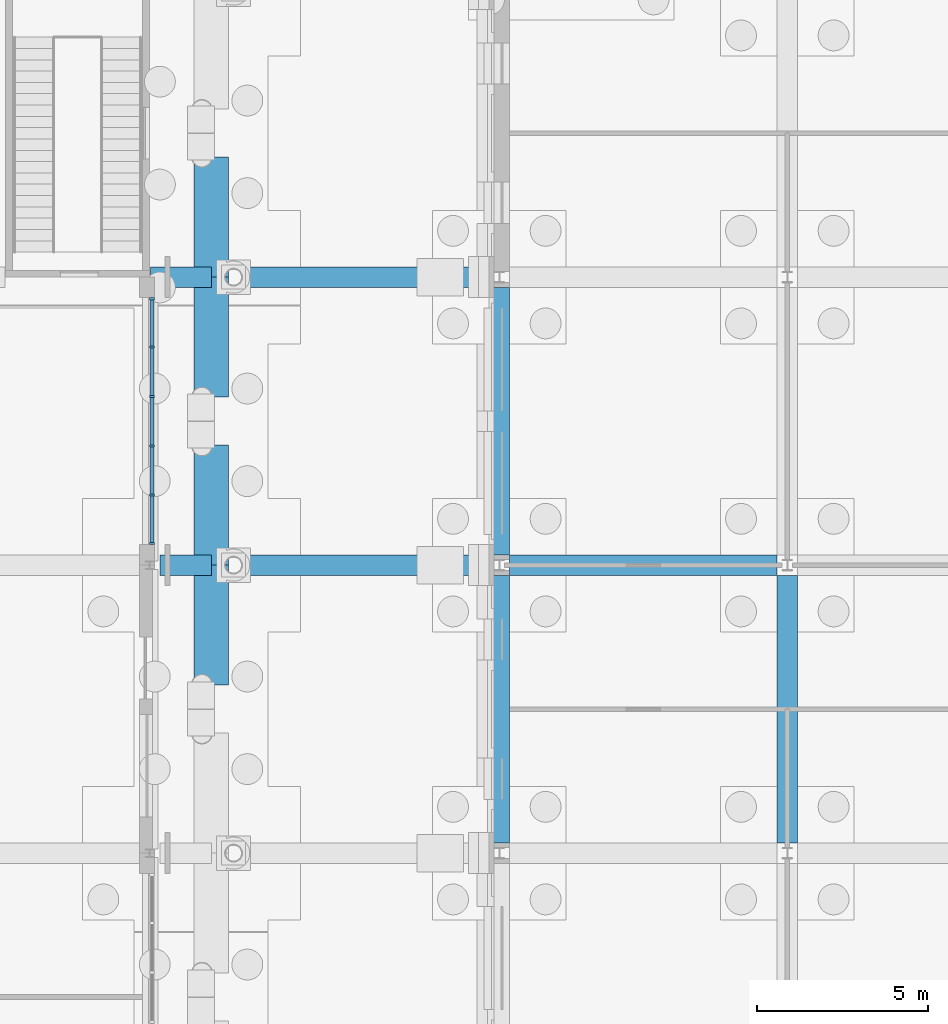
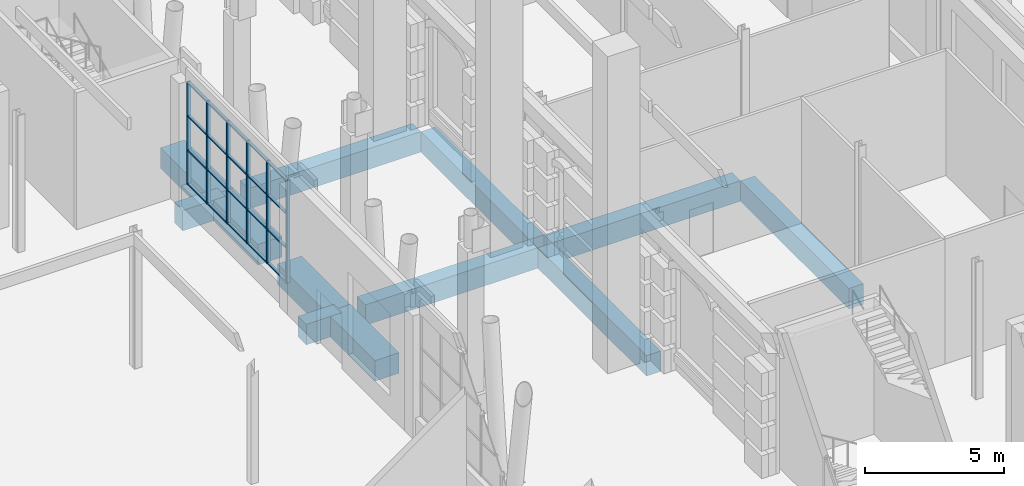
# One storey, part 57 of 222: 26 members, 12 beams, 1 element without a shape of its own.
"""IFC4 building model written with IfcOpenShell, lengths in metres."""

from ifc_helpers import new_model, si_unit, direction, frame, origin, origin_2d, place, context, subcontext, project, spatial, rectangle, extrude, material, material_profile, profile_set, type_object, element, aggregate, save


model = new_model("IFC4")

# Units and contexts
model_context = context("Model", 3, precision=1e-05, world=origin(), true_north=direction((0.0, 1.0)))
body_context = subcontext(model_context, "Body", "Model", "MODEL_VIEW")
ifc_project = project(units=[si_unit("LENGTHUNIT", "METRE"), si_unit("AREAUNIT", "SQUARE_METRE"), si_unit("VOLUMEUNIT", "CUBIC_METRE"), si_unit("PLANEANGLEUNIT", "RADIAN"), si_unit("MASSUNIT", "GRAM", prefix="KILO")], contexts=[model_context])

# Site, building, storey
site_placement = place(None, origin())
site = spatial("IfcSite", under=ifc_project, at=site_placement, CompositionType="ELEMENT")
building_placement = place(site_placement, origin())
building = spatial("IfcBuilding", under=site, at=building_placement, Name="Sava Quay Ferry Terminal", CompositionType="ELEMENT")
storey_placement = place(building_placement, origin())
storey = spatial("IfcBuildingStorey", under=building, at=storey_placement, Name="L00", CompositionType="ELEMENT", Elevation=0.0)

# Curtain wall, members
ifc_material_1 = material(Name="Aluminium and glass curtain wall, double low-e glazed", Category="aluminium")
curtain_wall_type = type_object("IfcCurtainWallType", Name="Curtain wall CW-F flank", PredefinedType="NOTDEFINED", material=ifc_material_1)
curtain_wall_placement = place(storey_placement, origin())
curtain_wall = element("IfcCurtainWall", 1, at=curtain_wall_placement, inside=storey, type_object=curtain_wall_type, Name="Curtain wall D-E L00 bay 5", PredefinedType="NOTDEFINED")
ifc_material_2 = material(Name="Aluminium EN AW-6063 T6", Category="aluminium")
ifc_material_profile_1 = material_profile(ifc_material_2, rectangle(XDim=0.14990234375, YDim=0.06005859375, at=origin_2d()), Name="Mullion 60x150 aluminium")
ifc_profile_set_1 = profile_set([ifc_material_profile_1], Name="Aluminium EN AW-6063 T6")
member_type_1 = type_object("IfcMemberType", Name="Mullion 60x150 aluminium", PredefinedType="MULLION", material=ifc_profile_set_1)
member_1_placement = place(storey_placement, frame((82.27490234375, 84.6298828125, 0.89990234375), z_axis=(0.0, 0.0, 1.0), x_axis=(-1.0, 0.0, 0.0)))
member_1 = element("IfcMember", 2, at=member_1_placement, type_object=member_type_1, Name="CW51 mullion 1", PredefinedType="MULLION", context=body_context, shape_type="SweptSolid", body=[
    extrude(rectangle(XDim=0.14990234375, YDim=0.06005859375, at=origin_2d()), origin(), (0.0, 0.0, 1.0), 4.5),
])
member_2_placement = place(storey_placement, frame((82.27490234375, 86.0400390625, 0.89990234375), z_axis=(0.0, 0.0, 1.0), x_axis=(-1.0, 0.0, 0.0)))
member_2 = element("IfcMember", 3, at=member_2_placement, type_object=member_type_1, Name="CW51 mullion 2", PredefinedType="MULLION", context=body_context, shape_type="SweptSolid", body=[
    extrude(rectangle(XDim=0.14990234375, YDim=0.06005859375, at=origin_2d()), origin(), (0.0, 0.0, 1.0), 4.5),
])
member_3_placement = place(storey_placement, frame((82.27490234375, 87.47998046875, 0.89990234375), z_axis=(0.0, 0.0, 1.0), x_axis=(-1.0, 0.0, 0.0)))
member_3 = element("IfcMember", 4, at=member_3_placement, type_object=member_type_1, Name="CW51 mullion 3", PredefinedType="MULLION", context=body_context, shape_type="SweptSolid", body=[
    extrude(rectangle(XDim=0.14990234375, YDim=0.06005859375, at=origin_2d()), origin(), (0.0, 0.0, 1.0), 4.5),
])
member_4_placement = place(storey_placement, frame((82.27490234375, 88.919921875, 0.89990234375), z_axis=(0.0, 0.0, 1.0), x_axis=(-1.0, 0.0, 0.0)))
member_4 = element("IfcMember", 5, at=member_4_placement, type_object=member_type_1, Name="CW51 mullion 4", PredefinedType="MULLION", context=body_context, shape_type="SweptSolid", body=[
    extrude(rectangle(XDim=0.14990234375, YDim=0.06005859375, at=origin_2d()), origin(), (0.0, 0.0, 1.0), 4.5),
])
member_5_placement = place(storey_placement, frame((82.27490234375, 90.360107421875, 0.89990234375), z_axis=(0.0, 0.0, 1.0), x_axis=(-1.0, 0.0, 0.0)))
member_5 = element("IfcMember", 6, at=member_5_placement, type_object=member_type_1, Name="CW51 mullion 5", PredefinedType="MULLION", context=body_context, shape_type="SweptSolid", body=[
    extrude(rectangle(XDim=0.14990234375, YDim=0.06005859375, at=origin_2d()), origin(), (0.0, 0.0, 1.0), 4.5),
])
member_6_placement = place(storey_placement, frame((82.27490234375, 91.77001953125, 0.89990234375), z_axis=(0.0, 0.0, 1.0), x_axis=(-1.0, 0.0, 0.0)))
member_6 = element("IfcMember", 7, at=member_6_placement, type_object=member_type_1, Name="CW51 mullion 6", PredefinedType="MULLION", context=body_context, shape_type="SweptSolid", body=[
    extrude(rectangle(XDim=0.14990234375, YDim=0.06005859375, at=origin_2d()), origin(), (0.0, 0.0, 1.0), 4.5),
])

# Beams
ifc_material_3 = material(Name="Concrete C40/50", Category="concrete")
ifc_material_profile_2 = material_profile(ifc_material_3, rectangle(XDim=1.0, YDim=0.89990234375, at=origin_2d()), Name="RC 1000x900")
ifc_profile_set_2 = profile_set([ifc_material_profile_2], Name="Concrete C40/50")
beam_type_1 = type_object("IfcBeamType", Name="RC deck beam 1000x900", PredefinedType="BEAM", material=ifc_profile_set_2)
for number, where, z_axis, x_axis, name in (
    (8, (84.0, 80.5, -0.89990234375), (0.0, 1.0, 0.0), (-1.0, 0.0, 0.0), "Deck beam Y84-75.6"),
    (9, (84.0, 84.0, -0.89990234375), (0.0, 1.0, 0.0), (-1.0, 0.0, 0.0), "Deck beam Y84-84"),
    (10, (84.0, 88.89990234375, -0.89990234375), (0.0, 1.0, 0.0), (-1.0, 0.0, 0.0), "Deck beam Y84-84"),
    (11, (84.0, 92.39990234375, -0.89990234375), (0.0, 1.0, 0.0), (-1.0, 0.0, 0.0), "Deck beam Y84-92.4"),
):
    element("IfcBeam", number, at=place(storey_placement, frame(where, z_axis=z_axis, x_axis=x_axis)), inside=storey, type_object=beam_type_1, Name=name, PredefinedType="BEAM", context=body_context, shape_type="SweptSolid", body=[
        extrude(rectangle(XDim=1.0, YDim=0.89990234375, at=origin_2d()), origin(), (0.0, 0.0, 1.0), 3.5),
    ])
ifc_material_4 = material(Name="Concrete C40/50", Category="concrete")
ifc_material_profile_3 = material_profile(ifc_material_4, rectangle(XDim=0.60009765625, YDim=0.89990234375, at=origin_2d()), Name="RC 600x900")
ifc_profile_set_3 = profile_set([ifc_material_profile_3], Name="Concrete C40/50")
beam_type_2 = type_object("IfcBeamType", Name="RC deck beam 600x900", PredefinedType="BEAM", material=ifc_profile_set_3)
beam_1_placement = place(storey_placement, frame((82.5, 84.0, -0.89990234375), z_axis=(1.0, 0.0, 0.0), x_axis=(0.0, 1.0, 0.0)))
element("IfcBeam", 12, at=beam_1_placement, inside=storey, type_object=beam_type_2, Name="Deck beam X84-75.6", PredefinedType="BEAM", context=body_context, shape_type="SweptSolid", body=[
    extrude(rectangle(XDim=0.60009765625, YDim=0.89990234375, at=origin_2d()), origin(), (0.0, 0.0, 1.0), 1.5),
])
beam_2_placement = place(storey_placement, frame((84.949951171875, 84.0, -0.89990234375), z_axis=(1.0, 0.0, 0.0), x_axis=(0.0, 1.0, 0.0)))
element("IfcBeam", 13, at=beam_2_placement, inside=storey, type_object=beam_type_2, Name="Deck beam X84-84", PredefinedType="BEAM", context=body_context, shape_type="SweptSolid", body=[
    extrude(rectangle(XDim=0.60009765625, YDim=0.89990234375, at=origin_2d()), origin(), (0.0, 0.0, 1.0), 7.150146484375),
])
beam_3_placement = place(storey_placement, frame((92.699951171875, 84.0, -0.89990234375), z_axis=(1.0, 0.0, 0.0), x_axis=(0.0, 1.0, 0.0)))
element("IfcBeam", 14, at=beam_3_placement, inside=storey, type_object=beam_type_2, Name="Deck beam X84-92.4", PredefinedType="BEAM", context=body_context, shape_type="SweptSolid", body=[
    extrude(rectangle(XDim=0.60009765625, YDim=0.89990234375, at=origin_2d()), origin(), (0.0, 0.0, 1.0), 7.800048828125),
])
beam_4_placement = place(storey_placement, frame((82.219970703125, 92.39990234375, -0.89990234375), z_axis=(1.0, 0.0, 0.0), x_axis=(0.0, 1.0, 0.0)))
element("IfcBeam", 15, at=beam_4_placement, inside=storey, type_object=beam_type_2, Name="Deck beam X92.4-75.6", PredefinedType="BEAM", context=body_context, shape_type="SweptSolid", body=[
    extrude(rectangle(XDim=0.60009765625, YDim=0.89990234375, at=origin_2d()), origin(), (0.0, 0.0, 1.0), 1.780029296875),
])
beam_5_placement = place(storey_placement, frame((84.949951171875, 92.39990234375, -0.89990234375), z_axis=(1.0, 0.0, 0.0), x_axis=(0.0, 1.0, 0.0)))
element("IfcBeam", 16, at=beam_5_placement, inside=storey, type_object=beam_type_2, Name="Deck beam X92.4-84", PredefinedType="BEAM", context=body_context, shape_type="SweptSolid", body=[
    extrude(rectangle(XDim=0.60009765625, YDim=0.89990234375, at=origin_2d()), origin(), (0.0, 0.0, 1.0), 7.150146484375),
])
for number, where, z_axis, x_axis, name in (
    (17, (92.39990234375, 75.89990234375, -0.89990234375), (0.0, 1.0, 0.0), (-1.0, 0.0, 0.0), "Deck beam Y92.4-75.6"),
    (18, (92.39990234375, 84.300048828125, -0.89990234375), (0.0, 1.0, 0.0), (-1.0, 0.0, 0.0), "Deck beam Y92.4-84"),
    (19, (100.800048828125, 75.89990234375, -0.89990234375), (0.0, 1.0, 0.0), (-1.0, 0.0, 0.0), "Deck beam Y100.8-75.6"),
):
    element("IfcBeam", number, at=place(storey_placement, frame(where, z_axis=z_axis, x_axis=x_axis)), inside=storey, type_object=beam_type_2, Name=name, PredefinedType="BEAM", context=body_context, shape_type="SweptSolid", body=[
        extrude(rectangle(XDim=0.60009765625, YDim=0.89990234375, at=origin_2d()), origin(), (0.0, 0.0, 1.0), 7.800048828125),
    ])

# Member
ifc_material_5 = material(Name="Aluminium EN AW-6063 T6", Category="aluminium")
ifc_material_profile_4 = material_profile(ifc_material_5, rectangle(XDim=0.1201171875, YDim=0.050048828125, at=origin_2d()), Name="Transom 50x120 aluminium")
ifc_profile_set_4 = profile_set([ifc_material_profile_4], Name="Aluminium EN AW-6063 T6")
member_type_2 = type_object("IfcMemberType", Name="Transom 50x120 aluminium", PredefinedType="USERDEFINED", material=ifc_profile_set_4)
member_7_placement = place(storey_placement, frame((82.27490234375, 84.659912109375, 0.925048828125), z_axis=(0.0, 1.0, 0.0), x_axis=(-1.0, 0.0, 0.0)))
member_7 = element("IfcMember", 20, at=member_7_placement, type_object=member_type_2, Name="CW51 transom 1.1", ObjectType="TRANSOM", PredefinedType="USERDEFINED", context=body_context, shape_type="SweptSolid", body=[
    extrude(rectangle(XDim=0.1201171875, YDim=0.050048828125, at=origin_2d()), origin(), (0.0, 0.0, 1.0), 1.35009765625),
])

member_8_placement = place(storey_placement, frame((82.27490234375, 84.659912109375, 2.39990234375), z_axis=(0.0, 1.0, 0.0), x_axis=(-1.0, 0.0, 0.0)))
member_8 = element("IfcMember", 21, at=member_8_placement, type_object=member_type_2, Name="CW51 transom 1.2", ObjectType="TRANSOM", PredefinedType="USERDEFINED", context=body_context, shape_type="SweptSolid", body=[
    extrude(rectangle(XDim=0.1201171875, YDim=0.050048828125, at=origin_2d()), origin(), (0.0, 0.0, 1.0), 1.35009765625),
])

member_9_placement = place(storey_placement, frame((82.27490234375, 84.659912109375, 3.89990234375), z_axis=(0.0, 1.0, 0.0), x_axis=(-1.0, 0.0, 0.0)))
member_9 = element("IfcMember", 22, at=member_9_placement, type_object=member_type_2, Name="CW51 transom 1.3", ObjectType="TRANSOM", PredefinedType="USERDEFINED", context=body_context, shape_type="SweptSolid", body=[
    extrude(rectangle(XDim=0.1201171875, YDim=0.050048828125, at=origin_2d()), origin(), (0.0, 0.0, 1.0), 1.35009765625),
])

member_10_placement = place(storey_placement, frame((82.27490234375, 84.659912109375, 5.375), z_axis=(0.0, 1.0, 0.0), x_axis=(-1.0, 0.0, 0.0)))
member_10 = element("IfcMember", 23, at=member_10_placement, type_object=member_type_2, Name="CW51 transom 1.4", ObjectType="TRANSOM", PredefinedType="USERDEFINED", context=body_context, shape_type="SweptSolid", body=[
    extrude(rectangle(XDim=0.1201171875, YDim=0.050048828125, at=origin_2d()), origin(), (0.0, 0.0, 1.0), 1.35009765625),
])

member_11_placement = place(storey_placement, frame((82.27490234375, 86.070068359375, 0.925048828125), z_axis=(0.0, 1.0, 0.0), x_axis=(-1.0, 0.0, 0.0)))
member_11 = element("IfcMember", 24, at=member_11_placement, type_object=member_type_2, Name="CW51 transom 2.1", ObjectType="TRANSOM", PredefinedType="USERDEFINED", context=body_context, shape_type="SweptSolid", body=[
    extrude(rectangle(XDim=0.1201171875, YDim=0.050048828125, at=origin_2d()), origin(), (0.0, 0.0, 1.0), 1.3798828125),
])

member_12_placement = place(storey_placement, frame((82.27490234375, 86.070068359375, 2.39990234375), z_axis=(0.0, 1.0, 0.0), x_axis=(-1.0, 0.0, 0.0)))
member_12 = element("IfcMember", 25, at=member_12_placement, type_object=member_type_2, Name="CW51 transom 2.2", ObjectType="TRANSOM", PredefinedType="USERDEFINED", context=body_context, shape_type="SweptSolid", body=[
    extrude(rectangle(XDim=0.1201171875, YDim=0.050048828125, at=origin_2d()), origin(), (0.0, 0.0, 1.0), 1.3798828125),
])

member_13_placement = place(storey_placement, frame((82.27490234375, 86.070068359375, 3.89990234375), z_axis=(0.0, 1.0, 0.0), x_axis=(-1.0, 0.0, 0.0)))
member_13 = element("IfcMember", 26, at=member_13_placement, type_object=member_type_2, Name="CW51 transom 2.3", ObjectType="TRANSOM", PredefinedType="USERDEFINED", context=body_context, shape_type="SweptSolid", body=[
    extrude(rectangle(XDim=0.1201171875, YDim=0.050048828125, at=origin_2d()), origin(), (0.0, 0.0, 1.0), 1.3798828125),
])

member_14_placement = place(storey_placement, frame((82.27490234375, 86.070068359375, 5.375), z_axis=(0.0, 1.0, 0.0), x_axis=(-1.0, 0.0, 0.0)))
member_14 = element("IfcMember", 27, at=member_14_placement, type_object=member_type_2, Name="CW51 transom 2.4", ObjectType="TRANSOM", PredefinedType="USERDEFINED", context=body_context, shape_type="SweptSolid", body=[
    extrude(rectangle(XDim=0.1201171875, YDim=0.050048828125, at=origin_2d()), origin(), (0.0, 0.0, 1.0), 1.3798828125),
])

member_15_placement = place(storey_placement, frame((82.27490234375, 87.510009765625, 0.925048828125), z_axis=(0.0, 1.0, 0.0), x_axis=(-1.0, 0.0, 0.0)))
member_15 = element("IfcMember", 28, at=member_15_placement, type_object=member_type_2, Name="CW51 transom 3.1", ObjectType="TRANSOM", PredefinedType="USERDEFINED", context=body_context, shape_type="SweptSolid", body=[
    extrude(rectangle(XDim=0.1201171875, YDim=0.050048828125, at=origin_2d()), origin(), (0.0, 0.0, 1.0), 1.3798828125),
])

member_16_placement = place(storey_placement, frame((82.27490234375, 87.510009765625, 2.39990234375), z_axis=(0.0, 1.0, 0.0), x_axis=(-1.0, 0.0, 0.0)))
member_16 = element("IfcMember", 29, at=member_16_placement, type_object=member_type_2, Name="CW51 transom 3.2", ObjectType="TRANSOM", PredefinedType="USERDEFINED", context=body_context, shape_type="SweptSolid", body=[
    extrude(rectangle(XDim=0.1201171875, YDim=0.050048828125, at=origin_2d()), origin(), (0.0, 0.0, 1.0), 1.3798828125),
])

member_17_placement = place(storey_placement, frame((82.27490234375, 87.510009765625, 3.89990234375), z_axis=(0.0, 1.0, 0.0), x_axis=(-1.0, 0.0, 0.0)))
member_17 = element("IfcMember", 30, at=member_17_placement, type_object=member_type_2, Name="CW51 transom 3.3", ObjectType="TRANSOM", PredefinedType="USERDEFINED", context=body_context, shape_type="SweptSolid", body=[
    extrude(rectangle(XDim=0.1201171875, YDim=0.050048828125, at=origin_2d()), origin(), (0.0, 0.0, 1.0), 1.3798828125),
])

member_18_placement = place(storey_placement, frame((82.27490234375, 87.510009765625, 5.375), z_axis=(0.0, 1.0, 0.0), x_axis=(-1.0, 0.0, 0.0)))
member_18 = element("IfcMember", 31, at=member_18_placement, type_object=member_type_2, Name="CW51 transom 3.4", ObjectType="TRANSOM", PredefinedType="USERDEFINED", context=body_context, shape_type="SweptSolid", body=[
    extrude(rectangle(XDim=0.1201171875, YDim=0.050048828125, at=origin_2d()), origin(), (0.0, 0.0, 1.0), 1.3798828125),
])

member_19_placement = place(storey_placement, frame((82.27490234375, 88.949951171875, 0.925048828125), z_axis=(0.0, 1.0, 0.0), x_axis=(-1.0, 0.0, 0.0)))
member_19 = element("IfcMember", 32, at=member_19_placement, type_object=member_type_2, Name="CW51 transom 4.1", ObjectType="TRANSOM", PredefinedType="USERDEFINED", context=body_context, shape_type="SweptSolid", body=[
    extrude(rectangle(XDim=0.1201171875, YDim=0.050048828125, at=origin_2d()), origin(), (0.0, 0.0, 1.0), 1.380126953125),
])

member_20_placement = place(storey_placement, frame((82.27490234375, 88.949951171875, 2.39990234375), z_axis=(0.0, 1.0, 0.0), x_axis=(-1.0, 0.0, 0.0)))
member_20 = element("IfcMember", 33, at=member_20_placement, type_object=member_type_2, Name="CW51 transom 4.2", ObjectType="TRANSOM", PredefinedType="USERDEFINED", context=body_context, shape_type="SweptSolid", body=[
    extrude(rectangle(XDim=0.1201171875, YDim=0.050048828125, at=origin_2d()), origin(), (0.0, 0.0, 1.0), 1.380126953125),
])

member_21_placement = place(storey_placement, frame((82.27490234375, 88.949951171875, 3.89990234375), z_axis=(0.0, 1.0, 0.0), x_axis=(-1.0, 0.0, 0.0)))
member_21 = element("IfcMember", 34, at=member_21_placement, type_object=member_type_2, Name="CW51 transom 4.3", ObjectType="TRANSOM", PredefinedType="USERDEFINED", context=body_context, shape_type="SweptSolid", body=[
    extrude(rectangle(XDim=0.1201171875, YDim=0.050048828125, at=origin_2d()), origin(), (0.0, 0.0, 1.0), 1.380126953125),
])

member_22_placement = place(storey_placement, frame((82.27490234375, 88.949951171875, 5.375), z_axis=(0.0, 1.0, 0.0), x_axis=(-1.0, 0.0, 0.0)))
member_22 = element("IfcMember", 35, at=member_22_placement, type_object=member_type_2, Name="CW51 transom 4.4", ObjectType="TRANSOM", PredefinedType="USERDEFINED", context=body_context, shape_type="SweptSolid", body=[
    extrude(rectangle(XDim=0.1201171875, YDim=0.050048828125, at=origin_2d()), origin(), (0.0, 0.0, 1.0), 1.380126953125),
])

member_23_placement = place(storey_placement, frame((82.27490234375, 90.389892578125, 0.925048828125), z_axis=(0.0, 1.0, 0.0), x_axis=(-1.0, 0.0, 0.0)))
member_23 = element("IfcMember", 36, at=member_23_placement, type_object=member_type_2, Name="CW51 transom 5.1", ObjectType="TRANSOM", PredefinedType="USERDEFINED", context=body_context, shape_type="SweptSolid", body=[
    extrude(rectangle(XDim=0.1201171875, YDim=0.050048828125, at=origin_2d()), origin(), (0.0, 0.0, 1.0), 1.35009765625),
])

member_24_placement = place(storey_placement, frame((82.27490234375, 90.389892578125, 2.39990234375), z_axis=(0.0, 1.0, 0.0), x_axis=(-1.0, 0.0, 0.0)))
member_24 = element("IfcMember", 37, at=member_24_placement, type_object=member_type_2, Name="CW51 transom 5.2", ObjectType="TRANSOM", PredefinedType="USERDEFINED", context=body_context, shape_type="SweptSolid", body=[
    extrude(rectangle(XDim=0.1201171875, YDim=0.050048828125, at=origin_2d()), origin(), (0.0, 0.0, 1.0), 1.35009765625),
])

member_25_placement = place(storey_placement, frame((82.27490234375, 90.389892578125, 3.89990234375), z_axis=(0.0, 1.0, 0.0), x_axis=(-1.0, 0.0, 0.0)))
member_25 = element("IfcMember", 38, at=member_25_placement, type_object=member_type_2, Name="CW51 transom 5.3", ObjectType="TRANSOM", PredefinedType="USERDEFINED", context=body_context, shape_type="SweptSolid", body=[
    extrude(rectangle(XDim=0.1201171875, YDim=0.050048828125, at=origin_2d()), origin(), (0.0, 0.0, 1.0), 1.35009765625),
])

member_26_placement = place(storey_placement, frame((82.27490234375, 90.389892578125, 5.375), z_axis=(0.0, 1.0, 0.0), x_axis=(-1.0, 0.0, 0.0)))
member_26 = element("IfcMember", 39, at=member_26_placement, type_object=member_type_2, Name="CW51 transom 5.4", ObjectType="TRANSOM", PredefinedType="USERDEFINED", context=body_context, shape_type="SweptSolid", body=[
    extrude(rectangle(XDim=0.1201171875, YDim=0.050048828125, at=origin_2d()), origin(), (0.0, 0.0, 1.0), 1.35009765625),
])

aggregate(curtain_wall, [member_1, member_2, member_3, member_4, member_5, member_6, member_7, member_8, member_9, member_10, member_11, member_12, member_13, member_14, member_15, member_16, member_17, member_18, member_19, member_20, member_21, member_22, member_23, member_24, member_25, member_26])

save(model, "model.ifc")
